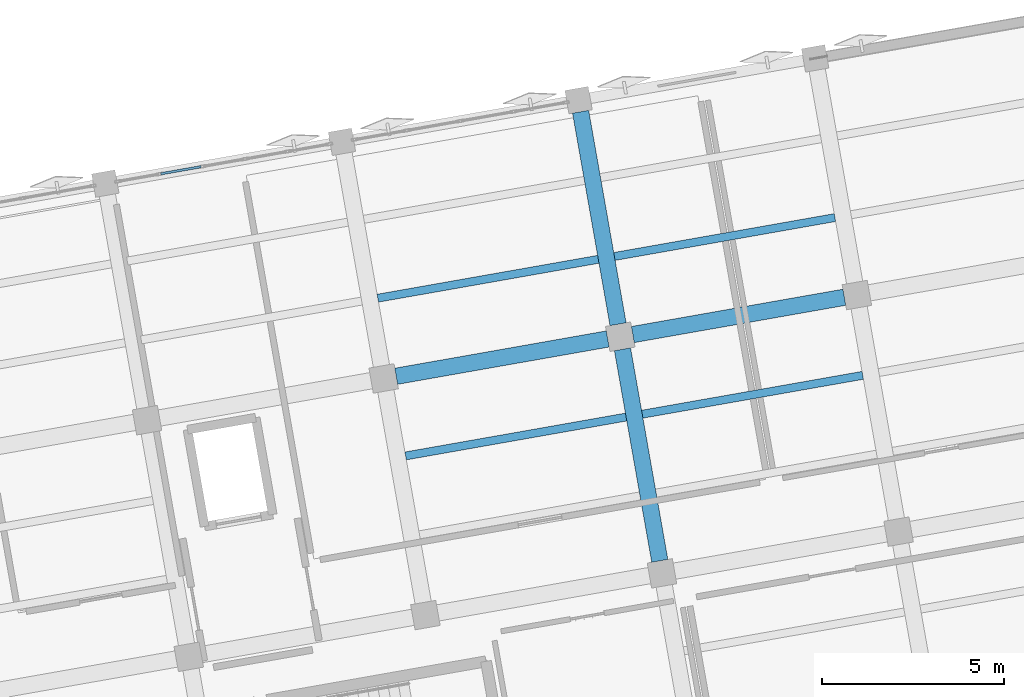
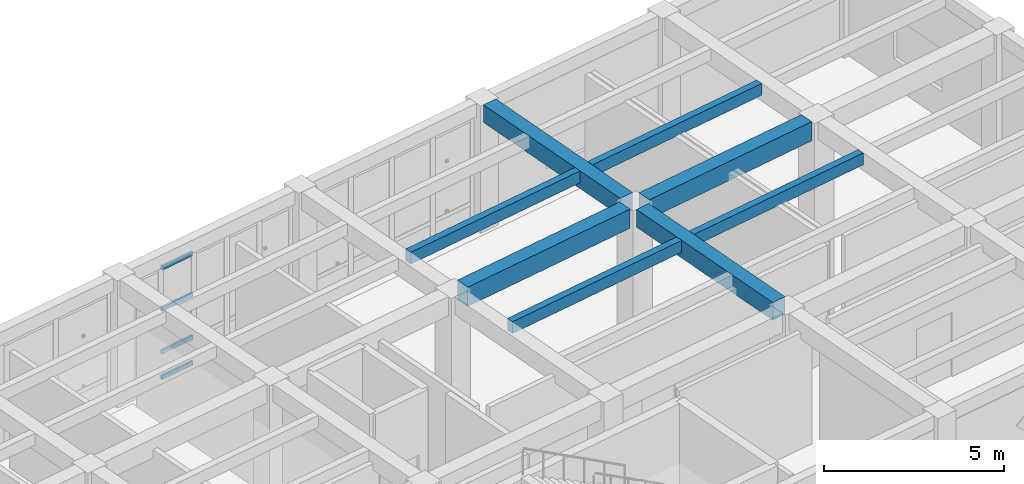
# One storey, part 9 of 39: 8 beams, 4 members, 1 element without a shape of its own.
"""IFC4 building model written with IfcOpenShell, lengths in metres."""

from ifc_helpers import new_model, si_unit, direction, frame, origin, origin_2d, place, context, subcontext, project, spatial, rectangle, hollow_rectangle, extrude, material, layer, layer_set, material_profile, profile_set, type_object, element, aggregate, save


model = new_model("IFC4")

# Units and contexts
model_context = context("Model", 3, precision=1e-05, world=origin(), true_north=direction((0.0, 1.0)))
body_context = subcontext(model_context, "Body", "Model", "MODEL_VIEW")
ifc_project = project(units=[si_unit("LENGTHUNIT", "METRE"), si_unit("AREAUNIT", "SQUARE_METRE"), si_unit("VOLUMEUNIT", "CUBIC_METRE"), si_unit("PLANEANGLEUNIT", "RADIAN"), si_unit("MASSUNIT", "GRAM", prefix="KILO")], contexts=[model_context])

# Site, building, storey
site_placement = place(None, origin())
site = spatial("IfcSite", under=ifc_project, at=site_placement, CompositionType="ELEMENT")
building_placement = place(site_placement, origin())
building = spatial("IfcBuilding", under=site, at=building_placement, Name="Kharisveld Research Institute", CompositionType="ELEMENT")
storey_placement = place(building_placement, frame((0.0, 0.0, 18.60009765625)))
storey = spatial("IfcBuildingStorey", under=building, at=storey_placement, Name="L04", CompositionType="ELEMENT", Elevation=18.60009765625)

# Beams
ifc_material_1 = material(Name="Concrete C40/50", Category="concrete")
ifc_material_profile_1 = material_profile(ifc_material_1, rectangle(XDim=0.449951171875, YDim=0.60009765625, at=origin_2d()))
ifc_profile_set_1 = profile_set([ifc_material_profile_1], Name="Concrete C40/50")
beam_type_1 = type_object("IfcBeamType", Name="BM_RC_450x600", PredefinedType="BEAM", material=ifc_profile_set_1)
beam_1_placement = place(storey_placement, frame((29.9921875, 46.438720703125, 4.02001953125), z_axis=(-0.173672023659, 0.984803548023, 0.0), x_axis=(-0.984803548023, -0.173672023659, 0.0)))
element("IfcBeam", 1, at=beam_1_placement, inside=storey, type_object=beam_type_1, Name="BM:V1:L04:V4_1", PredefinedType="BEAM", context=body_context, shape_type="SweptSolid", body=[
    extrude(rectangle(XDim=0.449951171875, YDim=0.60009765625, at=origin_2d()), origin(), (0.0, 0.0, 1.0), 5.89990234375),
])
beam_2_placement = place(storey_placement, frame((28.845947265625, 52.9384765625, 4.02001953125), z_axis=(-0.173639592071, 0.984809266846, 0.0), x_axis=(-0.984809266846, -0.173639592071, 0.0)))
element("IfcBeam", 2, at=beam_2_placement, inside=storey, type_object=beam_type_1, Name="BM:V1:L04:V4_2", PredefinedType="BEAM", context=body_context, shape_type="SweptSolid", body=[
    extrude(rectangle(XDim=0.449951171875, YDim=0.60009765625, at=origin_2d()), origin(), (0.0, 0.0, 1.0), 5.925048828125),
])
ifc_material_2 = material(Name="Concrete C40/50", Category="concrete")
ifc_material_profile_2 = material_profile(ifc_material_2, rectangle(XDim=0.449951171875, YDim=0.64990234375, at=origin_2d()))
ifc_profile_set_2 = profile_set([ifc_material_profile_2], Name="Concrete C40/50")
beam_type_2 = type_object("IfcBeamType", Name="BM_RC_450x650", PredefinedType="BEAM", material=ifc_profile_set_2)
for number, where, z_axis, x_axis, name in (
    (3, (22.751708984375, 51.508544921875, 3.994873046875), (0.984810624601, 0.173631891291, 0.0), (-0.173631891291, 0.984810624601, 0.0), "BM:V1:L04:U3_2"),
    (4, (29.25146484375, 52.654541015625, 3.994873046875), (0.984810624601, 0.173631891291, 0.0), (-0.173631891291, 0.984810624601, 0.0), "BM:V1:L04:U4_2"),
):
    element("IfcBeam", number, at=place(storey_placement, frame(where, z_axis=z_axis, x_axis=x_axis)), inside=storey, type_object=beam_type_2, Name=name, PredefinedType="BEAM", context=body_context, shape_type="SweptSolid", body=[
        extrude(rectangle(XDim=0.449951171875, YDim=0.64990234375, at=origin_2d()), origin(), (0.0, 0.0, 1.0), 5.89990234375),
    ])

# Curtain wall, members
ifc_material_3 = material(Name="Thermally Broken Aluminium Curtain Wall", Category="aluminium")
ifc_layer = layer(ifc_material_3, 0.159912109375)
ifc_layer_set = layer_set([ifc_layer], Name="CW_SYS_01")
curtain_wall_type = type_object("IfcCurtainWallType", Name="CW_SYS_01", PredefinedType="NOTDEFINED", material=ifc_layer_set)
curtain_wall_placement = place(storey_placement, origin())
curtain_wall = element("IfcCurtainWall", 5, at=curtain_wall_placement, inside=storey, type_object=curtain_wall_type, Name="CW:V1:L04:N2", PredefinedType="NOTDEFINED")
ifc_material_4 = material(Name="Anodised Aluminium AW-6063-T6", Category="aluminium")
ifc_material_profile_3 = material_profile(ifc_material_4, hollow_rectangle(XDim=0.06494140625, YDim=0.139892578125, WallThickness=0.00390625, at=origin_2d()))
ifc_profile_set_3 = profile_set([ifc_material_profile_3], Name="Anodised Aluminium AW-6063-T6")
member_type = type_object("IfcMemberType", Name="CW_TRN_140", PredefinedType="USERDEFINED", material=ifc_profile_set_3)
member_1_placement = place(storey_placement, frame((16.28466796875, 57.070068359375, 0.032470703125), z_axis=(0.984809833526, 0.173636378072, 0.0), x_axis=(-0.173636378072, 0.984809833526, 0.0)))
member_1 = element("IfcMember", 6, at=member_1_placement, type_object=member_type, Name="CW-01 transom 2.1", ObjectType="TRANSOM", PredefinedType="USERDEFINED", context=body_context, shape_type="SweptSolid", body=[
    extrude(hollow_rectangle(XDim=0.06494140625, YDim=0.139892578125, WallThickness=0.00390625, at=origin_2d()), origin(), (0.0, 0.0, 1.0), 1.1220703125),
])
member_2_placement = place(storey_placement, frame((16.28466796875, 57.070068359375, 0.89990234375), z_axis=(0.984809833526, 0.173636378072, 0.0), x_axis=(-0.173636378072, 0.984809833526, 0.0)))
member_2 = element("IfcMember", 7, at=member_2_placement, type_object=member_type, Name="CW-01 transom 2.2", ObjectType="TRANSOM", PredefinedType="USERDEFINED", context=body_context, shape_type="SweptSolid", body=[
    extrude(hollow_rectangle(XDim=0.06494140625, YDim=0.139892578125, WallThickness=0.00390625, at=origin_2d()), origin(), (0.0, 0.0, 1.0), 1.1220703125),
])
member_3_placement = place(storey_placement, frame((16.28466796875, 57.070068359375, 2.349853515625), z_axis=(0.984809833526, 0.173636378072, 0.0), x_axis=(-0.173636378072, 0.984809833526, 0.0)))
member_3 = element("IfcMember", 8, at=member_3_placement, type_object=member_type, Name="CW-01 transom 2.3", ObjectType="TRANSOM", PredefinedType="USERDEFINED", context=body_context, shape_type="SweptSolid", body=[
    extrude(hollow_rectangle(XDim=0.06494140625, YDim=0.139892578125, WallThickness=0.00390625, at=origin_2d()), origin(), (0.0, 0.0, 1.0), 1.1220703125),
])
member_4_placement = place(storey_placement, frame((16.28466796875, 57.070068359375, 3.747314453125), z_axis=(0.984809833526, 0.173636378072, 0.0), x_axis=(-0.173636378072, 0.984809833526, 0.0)))
member_4 = element("IfcMember", 9, at=member_4_placement, type_object=member_type, Name="CW-01 transom 2.4", ObjectType="TRANSOM", PredefinedType="USERDEFINED", context=body_context, shape_type="SweptSolid", body=[
    extrude(hollow_rectangle(XDim=0.06494140625, YDim=0.139892578125, WallThickness=0.00390625, at=origin_2d()), origin(), (0.0, 0.0, 1.0), 1.1220703125),
])
aggregate(curtain_wall, [member_1, member_2, member_3, member_4])

# Beams
ifc_material_5 = material(Name="Concrete C40/50", Category="concrete")
ifc_material_profile_4 = material_profile(ifc_material_5, rectangle(XDim=0.219970703125, YDim=0.39990234375, at=origin_2d()))
ifc_profile_set_4 = profile_set([ifc_material_profile_4], Name="Concrete C40/50")
beam_type_3 = type_object("IfcBeamType", Name="WB_RC_220x400", PredefinedType="JOIST", material=ifc_profile_set_4)
beam_3_placement = place(storey_placement, frame((23.0107421875, 49.320068359375, 4.119873046875), z_axis=(0.9848019372, 0.173681157546, 0.0), x_axis=(-0.173681157546, 0.9848019372, 0.0)))
element("IfcBeam", 10, at=beam_3_placement, inside=storey, type_object=beam_type_3, Name="BM:V1:L04:J_3_1_R2", PredefinedType="JOIST", context=body_context, shape_type="SweptSolid", body=[
    extrude(rectangle(XDim=0.219970703125, YDim=0.39990234375, at=origin_2d()), origin(), (0.0, 0.0, 1.0), 6.14990234375),
])
beam_4_placement = place(storey_placement, frame((22.24658203125, 53.6533203125, 4.119873046875), z_axis=(0.984809923515, 0.173635867682, 0.0), x_axis=(-0.173635867682, 0.984809923515, 0.0)))
element("IfcBeam", 11, at=beam_4_placement, inside=storey, type_object=beam_type_3, Name="BM:V1:L04:J_3_2_R1", PredefinedType="JOIST", context=body_context, shape_type="SweptSolid", body=[
    extrude(rectangle(XDim=0.219970703125, YDim=0.39990234375, at=origin_2d()), origin(), (0.0, 0.0, 1.0), 6.150146484375),
])
beam_5_placement = place(storey_placement, frame((29.510498046875, 50.46630859375, 4.119873046875), z_axis=(0.984808726596, 0.17364265611, 0.0), x_axis=(-0.17364265611, 0.984808726596, 0.0)))
element("IfcBeam", 12, at=beam_5_placement, inside=storey, type_object=beam_type_3, Name="BM:V1:L04:J_4_1_R2", PredefinedType="JOIST", context=body_context, shape_type="SweptSolid", body=[
    extrude(rectangle(XDim=0.219970703125, YDim=0.39990234375, at=origin_2d()), origin(), (0.0, 0.0, 1.0), 6.14990234375),
])
beam_6_placement = place(storey_placement, frame((28.746337890625, 54.79931640625, 4.119873046875), z_axis=(0.984803134643, 0.173674367706, 0.0), x_axis=(-0.173674367706, 0.984803134643, 0.0)))
element("IfcBeam", 13, at=beam_6_placement, inside=storey, type_object=beam_type_3, Name="BM:V1:L04:J_4_2_R1", PredefinedType="JOIST", context=body_context, shape_type="SweptSolid", body=[
    extrude(rectangle(XDim=0.219970703125, YDim=0.39990234375, at=origin_2d()), origin(), (0.0, 0.0, 1.0), 6.150146484375),
])

save(model, "model.ifc")
